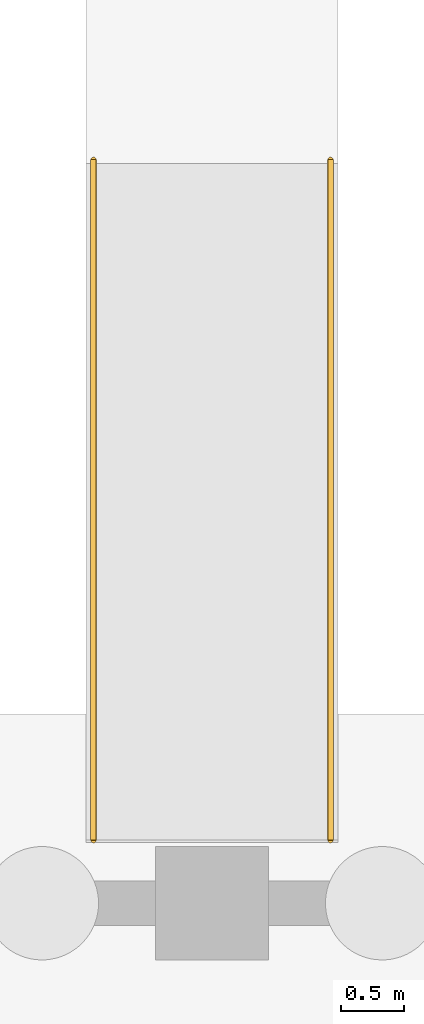
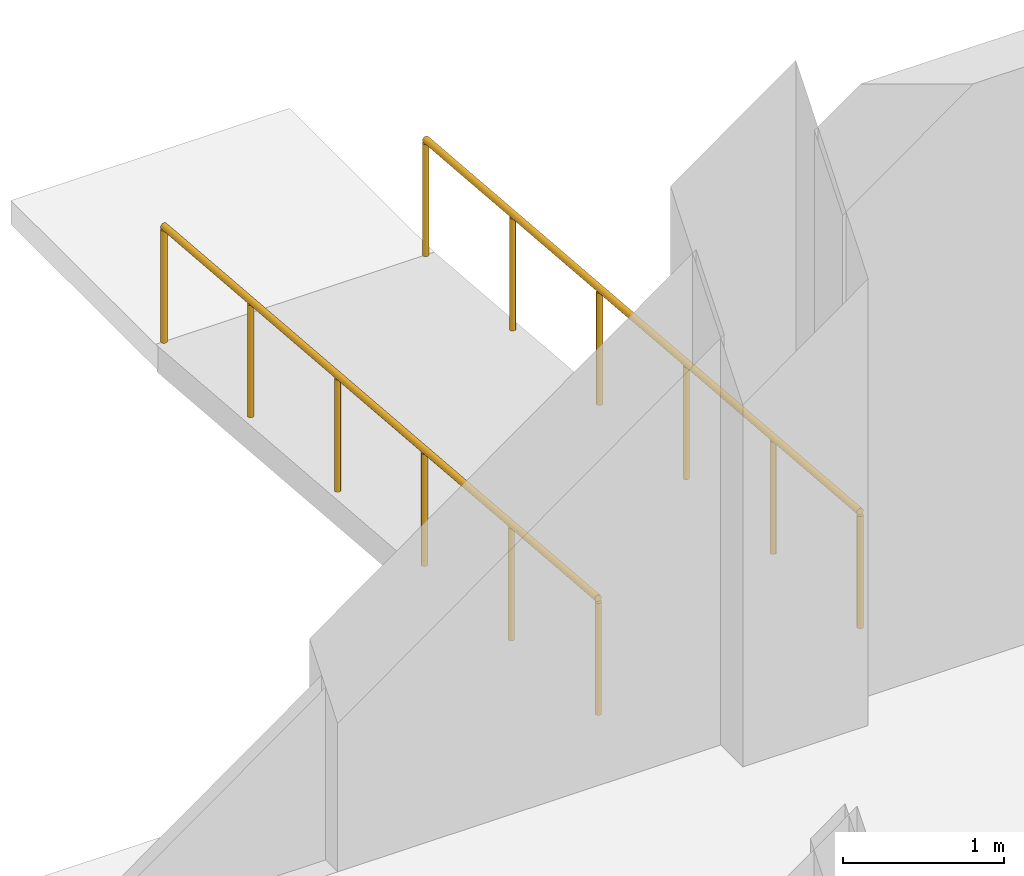
# One storey, part 94 of 103: 2 railings.
"""IFC4 building model written with IfcOpenShell, lengths in metres."""

from ifc_helpers import new_model, si_unit, direction, frame, origin, origin_2d, place, context, subcontext, project, spatial, circle, extrude, material, type_object, element, save


model = new_model("IFC4")

# Units and contexts
model_context = context("Model", 3, precision=1e-05, world=origin(), true_north=direction((0.0, 1.0)))
body_context = subcontext(model_context, "Body", "Model", "MODEL_VIEW")
ifc_project = project(units=[si_unit("LENGTHUNIT", "METRE"), si_unit("AREAUNIT", "SQUARE_METRE"), si_unit("VOLUMEUNIT", "CUBIC_METRE"), si_unit("PLANEANGLEUNIT", "RADIAN"), si_unit("MASSUNIT", "GRAM", prefix="KILO")], contexts=[model_context])

# Site, building, storey
site_placement = place(None, origin())
site = spatial("IfcSite", under=ifc_project, at=site_placement, CompositionType="ELEMENT")
building_placement = place(site_placement, origin())
building = spatial("IfcBuilding", under=site, at=building_placement, Name="Zevraka Park Crest Stadium", CompositionType="ELEMENT")
storey_placement = place(building_placement, origin())
storey = spatial("IfcBuildingStorey", under=building, at=storey_placement, Name="L00", CompositionType="ELEMENT", Elevation=0.0)

# Railings
ifc_material = material(Name="Brushed stainless steel continuous handrail", Category="steel")
railing_type = type_object("IfcRailingType", Name="HR01", PredefinedType="HANDRAIL", material=ifc_material)
for number, where, name in (
    (1, (62.06005859375, 189.89990234375, -0.449951171875), "Accessible Ramp Handrail RM06-1"),
    (2, (63.93994140625, 189.89990234375, -0.449951171875), "Accessible Ramp Handrail RM06-2"),
):
    element("IfcRailing", number, at=place(storey_placement, frame(where)), inside=storey, type_object=railing_type, Name=name, PredefinedType="HANDRAIL", context=body_context, shape_type="SweptSolid", body=[
        extrude(circle(Radius=0.02392578125, at=origin_2d()), frame((0.0, 0.0, 0.8759765625), z_axis=(0.0, -0.996546379678, 0.083038022323), x_axis=(1.0, 0.0, 0.0)), (0.0, 0.0, 1.0), 5.418701171875),
        extrude(circle(Radius=0.02099609375, at=origin_2d()), origin(), (0.0, 0.0, 1.0), 0.851806640625),
        extrude(circle(Radius=0.02099609375, at=origin_2d()), frame((0.0, -1.080078125, 0.090087890625)), (0.0, 0.0, 1.0), 0.851806640625),
        extrude(circle(Radius=0.02099609375, at=origin_2d()), frame((0.0, -2.159912109375, 0.179931640625)), (0.0, 0.0, 1.0), 0.851806640625),
        extrude(circle(Radius=0.02099609375, at=origin_2d()), frame((0.0, -3.239990234375, 0.27001953125)), (0.0, 0.0, 1.0), 0.851806640625),
        extrude(circle(Radius=0.02099609375, at=origin_2d()), frame((0.0, -4.31982421875, 0.35986328125)), (0.0, 0.0, 1.0), 0.851806640625),
        extrude(circle(Radius=0.02099609375, at=origin_2d()), frame((0.0, -5.39990234375, 0.449951171875)), (0.0, 0.0, 1.0), 0.851806640625),
    ])

save(model, "model.ifc")
